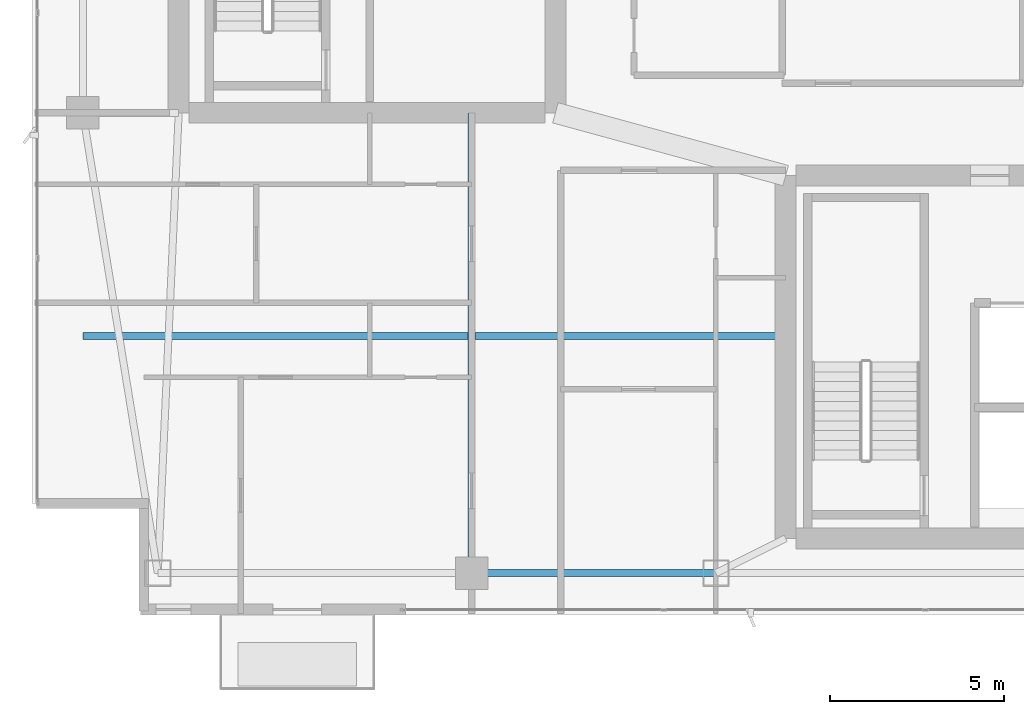
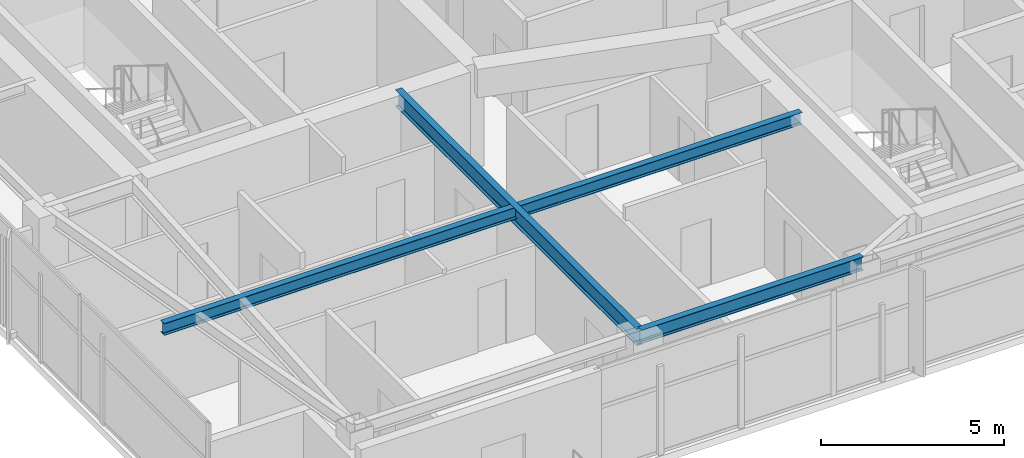
# One storey, part 5 of 27: 3 beams.
"""IFC4 building model written with IfcOpenShell, lengths in metres."""

from ifc_helpers import new_model, si_unit, direction, frame, origin, origin_2d, place, context, subcontext, project, spatial, i_section, extrude, material, material_profile, profile_set, type_object, element, save


model = new_model("IFC4")

# Units and contexts
model_context = context("Model", 3, precision=1e-05, world=origin(), true_north=direction((0.0, 1.0)))
body_context = subcontext(model_context, "Body", "Model", "MODEL_VIEW")
ifc_project = project(units=[si_unit("LENGTHUNIT", "METRE"), si_unit("AREAUNIT", "SQUARE_METRE"), si_unit("VOLUMEUNIT", "CUBIC_METRE"), si_unit("PLANEANGLEUNIT", "RADIAN"), si_unit("MASSUNIT", "GRAM", prefix="KILO")], contexts=[model_context])

# Site, building, storey
site_placement = place(None, origin())
site = spatial("IfcSite", under=ifc_project, at=site_placement, CompositionType="ELEMENT")
building_placement = place(site_placement, origin())
building = spatial("IfcBuilding", under=site, at=building_placement, Name="Calvorn Quay Hotel", CompositionType="ELEMENT")
storey_placement = place(building_placement, frame((0.0, 0.0, 278.699951171875)))
storey = spatial("IfcBuildingStorey", under=building, at=storey_placement, Name="L69", CompositionType="ELEMENT", Elevation=278.699951171875)

# Beams
ifc_material_1 = material(Name="Steel Q355B", Category="steel")
ifc_material_profile_1 = material_profile(ifc_material_1, i_section(OverallWidth=0.199951171875, OverallDepth=0.550048828125, WebThickness=0.010009765625, FlangeThickness=0.01611328125, FilletRadius=0.01806640625, at=origin_2d()), Name="HN550x200x10x16")
ifc_profile_set_1 = profile_set([ifc_material_profile_1], Name="Steel Q355B")
beam_type_1 = type_object("IfcBeamType", Name="BM-GIRD-UPP", PredefinedType="BEAM", material=ifc_profile_set_1)
beam_1_placement = place(storey_placement, frame((12.60009765625, 3.60009765625, 3.2451171875), z_axis=(0.0, 1.0, 0.0), x_axis=(-1.0, 0.0, 0.0)))
element("IfcBeam", 1, at=beam_1_placement, inside=storey, type_object=beam_type_1, Name="Beam BG-L69-S1", PredefinedType="BEAM", context=body_context, shape_type="SweptSolid", body=[
    extrude(i_section(OverallWidth=0.199951171875, OverallDepth=0.550048828125, WebThickness=0.010009765625, FlangeThickness=0.01611328125, FilletRadius=0.01806640625, at=origin_2d()), origin(), (0.0, 0.0, 1.0), 13.199951171875),
])
ifc_material_2 = material(Name="Steel Q355B", Category="steel")
ifc_material_profile_2 = material_profile(ifc_material_2, i_section(OverallWidth=0.199951171875, OverallDepth=0.39990234375, WebThickness=0.008056640625, FlangeThickness=0.012939453125, FilletRadius=0.01611328125, at=origin_2d()), Name="HN400x200x8x13")
ifc_profile_set_2 = profile_set([ifc_material_profile_2], Name="Steel Q355B")
beam_type_2 = type_object("IfcBeamType", Name="BM-JOIST-TYP", PredefinedType="JOIST", material=ifc_profile_set_2)
beam_2_placement = place(storey_placement, frame((1.449951171875, 10.39990234375, 3.320068359375), z_axis=(1.0, 0.0, 0.0), x_axis=(0.0, 1.0, 0.0)))
element("IfcBeam", 2, at=beam_2_placement, inside=storey, type_object=beam_type_2, Name="Beam BJ-L69-W1", PredefinedType="JOIST", context=body_context, shape_type="SweptSolid", body=[
    extrude(i_section(OverallWidth=0.199951171875, OverallDepth=0.39990234375, WebThickness=0.008056640625, FlangeThickness=0.012939453125, FilletRadius=0.01611328125, at=origin_2d()), origin(), (0.0, 0.0, 1.0), 20.150146484375),
])
ifc_material_3 = material(Name="Steel Q355B", Category="steel")
ifc_material_profile_3 = material_profile(ifc_material_3, i_section(OverallWidth=0.199951171875, OverallDepth=0.449951171875, WebThickness=0.009033203125, FlangeThickness=0.013916015625, FilletRadius=0.01611328125, at=origin_2d()), Name="HN450x200x9x14")
ifc_profile_set_3 = profile_set([ifc_material_profile_3], Name="Steel Q355B")
beam_type_3 = type_object("IfcBeamType", Name="BM-SPANDREL-Z3", PredefinedType="SPANDREL", material=ifc_profile_set_3)
beam_3_placement = place(storey_placement, frame((12.60009765625, 3.60009765625, 3.295166015625), z_axis=(1.0, 0.0, 0.0), x_axis=(0.0, 1.0, 0.0)))
element("IfcBeam", 3, at=beam_3_placement, inside=storey, type_object=beam_type_3, Name="Beam BSP-L69-S2", PredefinedType="SPANDREL", context=body_context, shape_type="SweptSolid", body=[
    extrude(i_section(OverallWidth=0.199951171875, OverallDepth=0.449951171875, WebThickness=0.009033203125, FlangeThickness=0.013916015625, FilletRadius=0.01611328125, at=origin_2d()), origin(), (0.0, 0.0, 1.0), 7.0),
])

save(model, "model.ifc")
